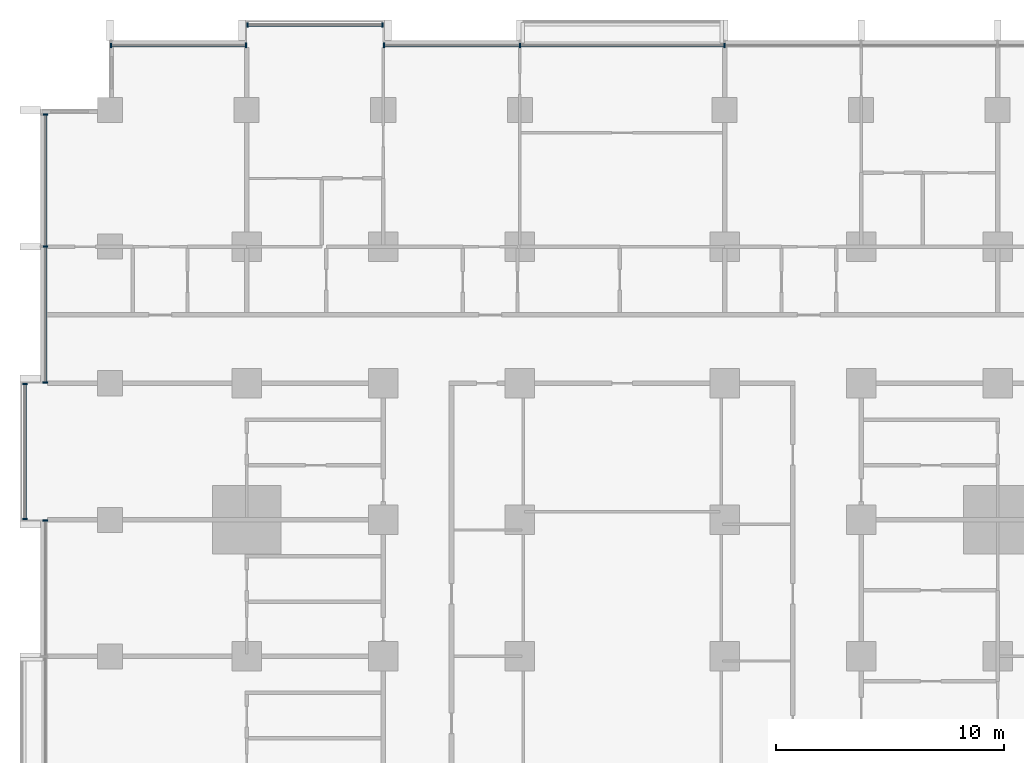
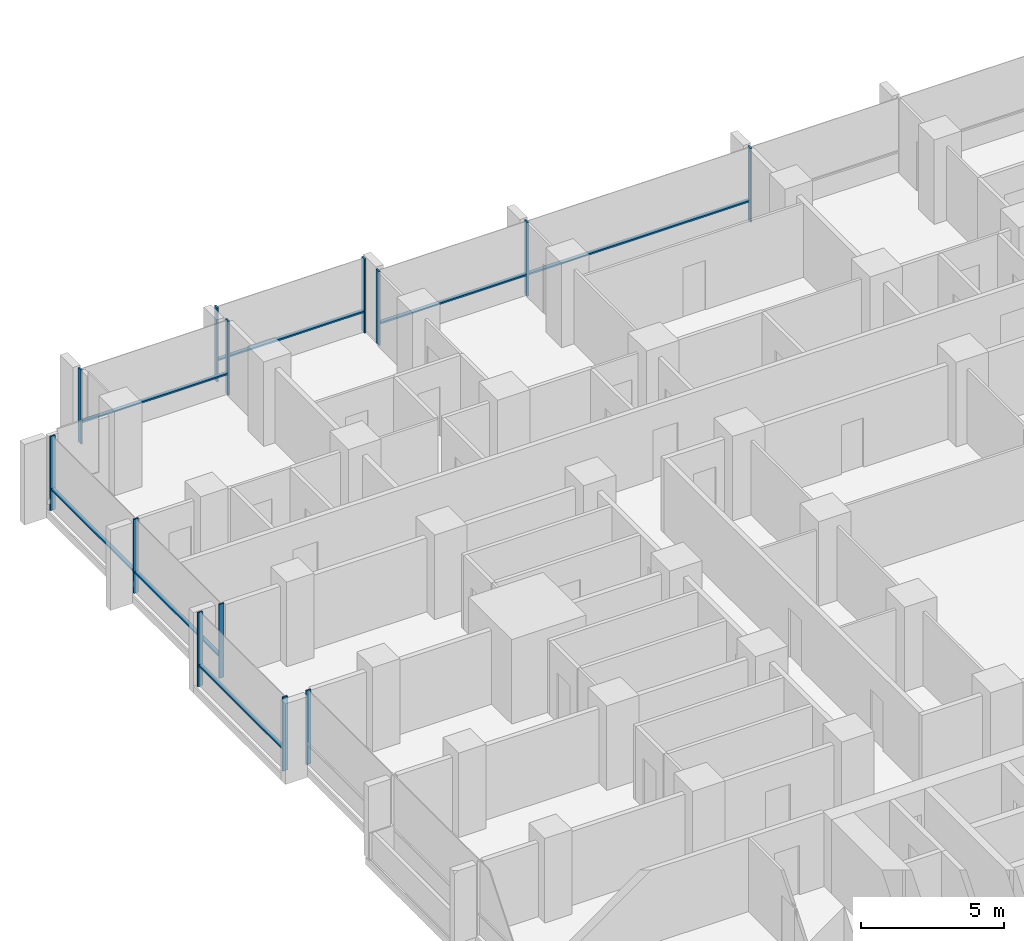
# One storey, part 4 of 18: 20 members, 6 elements without a shape of their own.
"""IFC4 building model written with IfcOpenShell, lengths in metres."""

from ifc_helpers import new_model, si_unit, direction, frame, origin, origin_2d, place, context, subcontext, project, spatial, rectangle, extrude, material, material_profile, profile_set, type_object, element, aggregate, save


model = new_model("IFC4")

# Units and contexts
model_context = context("Model", 3, precision=1e-05, world=origin(), true_north=direction((0.0, 1.0)))
body_context = subcontext(model_context, "Body", "Model", "MODEL_VIEW")
ifc_project = project(units=[si_unit("LENGTHUNIT", "METRE"), si_unit("AREAUNIT", "SQUARE_METRE"), si_unit("VOLUMEUNIT", "CUBIC_METRE"), si_unit("PLANEANGLEUNIT", "RADIAN"), si_unit("MASSUNIT", "GRAM", prefix="KILO")], contexts=[model_context])

# Site, building, storey
site_placement = place(None, origin())
site = spatial("IfcSite", under=ifc_project, at=site_placement, CompositionType="ELEMENT")
building_placement = place(site_placement, origin())
building = spatial("IfcBuilding", under=site, at=building_placement, Name="Finial Court Residences", CompositionType="ELEMENT")
storey_placement = place(building_placement, frame((0.0, 0.0, 72.10009765625)))
storey = spatial("IfcBuildingStorey", under=building, at=storey_placement, Name="L17", CompositionType="ELEMENT", Elevation=72.10009765625)

# Curtain wall, members
ifc_material = material(Name="Bronze anodised aluminium", Category="aluminium")
curtain_wall_type = type_object("IfcCurtainWallType", Name="Unitised curtain wall, lower and middle zones", PredefinedType="NOTDEFINED", material=ifc_material)
curtain_wall_1_placement = place(storey_placement, origin())
curtain_wall_1 = element("IfcCurtainWall", 1, at=curtain_wall_1_placement, inside=storey, type_object=curtain_wall_type, Name="E-L17-CW-N1", PredefinedType="NOTDEFINED")
ifc_material_profile_1 = material_profile(ifc_material, rectangle(XDim=0.199951171875, YDim=0.06494140625, at=origin_2d()), Name="CW1 mullion 65 x 200")
ifc_profile_set_1 = profile_set([ifc_material_profile_1], Name="Bronze anodised aluminium")
member_type_1 = type_object("IfcMemberType", Name="CW1 mullion 65 x 200", PredefinedType="MULLION", material=ifc_profile_set_1)
member_1_placement = place(storey_placement, frame((-22.467529296875, 28.35009765625, 0.0), z_axis=(0.0, 0.0, 1.0), x_axis=(0.0, 1.0, 0.0)))
member_1 = element("IfcMember", 2, at=member_1_placement, type_object=member_type_1, Name="CW1 mullion 1", PredefinedType="MULLION", context=body_context, shape_type="SweptSolid", body=[
    extrude(rectangle(XDim=0.199951171875, YDim=0.06494140625, at=origin_2d()), origin(), (0.0, 0.0, 1.0), 3.14990234375),
])
member_2_placement = place(storey_placement, frame((-16.532470703125, 28.35009765625, 0.0), z_axis=(0.0, 0.0, 1.0), x_axis=(0.0, 1.0, 0.0)))
member_2 = element("IfcMember", 3, at=member_2_placement, type_object=member_type_1, Name="CW1 mullion 2", PredefinedType="MULLION", context=body_context, shape_type="SweptSolid", body=[
    extrude(rectangle(XDim=0.199951171875, YDim=0.06494140625, at=origin_2d()), origin(), (0.0, 0.0, 1.0), 3.14990234375),
])

curtain_wall_2_placement = place(storey_placement, origin())
curtain_wall_2 = element("IfcCurtainWall", 4, at=curtain_wall_2_placement, inside=storey, type_object=curtain_wall_type, Name="E-L17-CW-N2", PredefinedType="NOTDEFINED")
member_3_placement = place(storey_placement, frame((-16.467529296875, 29.25, 0.0), z_axis=(0.0, 0.0, 1.0), x_axis=(0.0, 1.0, 0.0)))
member_3 = element("IfcMember", 5, at=member_3_placement, type_object=member_type_1, Name="CW1 mullion 1", PredefinedType="MULLION", context=body_context, shape_type="SweptSolid", body=[
    extrude(rectangle(XDim=0.199951171875, YDim=0.06494140625, at=origin_2d()), origin(), (0.0, 0.0, 1.0), 3.14990234375),
])
member_4_placement = place(storey_placement, frame((-10.532470703125, 29.25, 0.0), z_axis=(0.0, 0.0, 1.0), x_axis=(0.0, 1.0, 0.0)))
member_4 = element("IfcMember", 6, at=member_4_placement, type_object=member_type_1, Name="CW1 mullion 2", PredefinedType="MULLION", context=body_context, shape_type="SweptSolid", body=[
    extrude(rectangle(XDim=0.199951171875, YDim=0.06494140625, at=origin_2d()), origin(), (0.0, 0.0, 1.0), 3.14990234375),
])

curtain_wall_3_placement = place(storey_placement, origin())
curtain_wall_3 = element("IfcCurtainWall", 7, at=curtain_wall_3_placement, inside=storey, type_object=curtain_wall_type, Name="E-L17-CW-N3", PredefinedType="NOTDEFINED")
member_5_placement = place(storey_placement, frame((-10.467529296875, 28.35009765625, 0.0), z_axis=(0.0, 0.0, 1.0), x_axis=(0.0, 1.0, 0.0)))
member_5 = element("IfcMember", 8, at=member_5_placement, type_object=member_type_1, Name="CW1 mullion 1", PredefinedType="MULLION", context=body_context, shape_type="SweptSolid", body=[
    extrude(rectangle(XDim=0.199951171875, YDim=0.06494140625, at=origin_2d()), origin(), (0.0, 0.0, 1.0), 3.14990234375),
])
member_6_placement = place(storey_placement, frame((-4.5, 28.35009765625, 0.0), z_axis=(0.0, 0.0, 1.0), x_axis=(0.0, 1.0, 0.0)))
member_6 = element("IfcMember", 9, at=member_6_placement, type_object=member_type_1, Name="CW1 mullion 2", PredefinedType="MULLION", context=body_context, shape_type="SweptSolid", body=[
    extrude(rectangle(XDim=0.199951171875, YDim=0.06494140625, at=origin_2d()), origin(), (0.0, 0.0, 1.0), 3.14990234375),
])
member_7_placement = place(storey_placement, frame((4.5, 28.35009765625, 0.0), z_axis=(0.0, 0.0, 1.0), x_axis=(0.0, 1.0, 0.0)))
member_7 = element("IfcMember", 10, at=member_7_placement, type_object=member_type_1, Name="CW1 mullion 3", PredefinedType="MULLION", context=body_context, shape_type="SweptSolid", body=[
    extrude(rectangle(XDim=0.199951171875, YDim=0.06494140625, at=origin_2d()), origin(), (0.0, 0.0, 1.0), 3.14990234375),
])

# Curtain wall, member
curtain_wall_4_placement = place(storey_placement, origin())
curtain_wall_4 = element("IfcCurtainWall", 11, at=curtain_wall_4_placement, inside=storey, type_object=curtain_wall_type, Name="E-L17-CW-W9", PredefinedType="NOTDEFINED")
member_8_placement = place(storey_placement, frame((-25.35009765625, 7.467529296875, 0.0), z_axis=(0.0, 0.0, 1.0), x_axis=(-1.0, 0.0, 0.0)))
member_8 = element("IfcMember", 12, at=member_8_placement, type_object=member_type_1, Name="CW1 mullion 5", PredefinedType="MULLION", context=body_context, shape_type="SweptSolid", body=[
    extrude(rectangle(XDim=0.199951171875, YDim=0.06494140625, at=origin_2d()), origin(), (0.0, 0.0, 1.0), 3.14990234375),
])
aggregate(curtain_wall_4, [member_8])

# Curtain wall, members
curtain_wall_5_placement = place(storey_placement, origin())
curtain_wall_5 = element("IfcCurtainWall", 13, at=curtain_wall_5_placement, inside=storey, type_object=curtain_wall_type, Name="E-L17-CW-W10", PredefinedType="NOTDEFINED")
member_9_placement = place(storey_placement, frame((-26.25, 7.532470703125, 0.0), z_axis=(0.0, 0.0, 1.0), x_axis=(-1.0, 0.0, 0.0)))
member_9 = element("IfcMember", 14, at=member_9_placement, type_object=member_type_1, Name="CW1 mullion 1", PredefinedType="MULLION", context=body_context, shape_type="SweptSolid", body=[
    extrude(rectangle(XDim=0.199951171875, YDim=0.06494140625, at=origin_2d()), origin(), (0.0, 0.0, 1.0), 3.14990234375),
])
member_10_placement = place(storey_placement, frame((-26.25, 13.467529296875, 0.0), z_axis=(0.0, 0.0, 1.0), x_axis=(-1.0, 0.0, 0.0)))
member_10 = element("IfcMember", 15, at=member_10_placement, type_object=member_type_1, Name="CW1 mullion 2", PredefinedType="MULLION", context=body_context, shape_type="SweptSolid", body=[
    extrude(rectangle(XDim=0.199951171875, YDim=0.06494140625, at=origin_2d()), origin(), (0.0, 0.0, 1.0), 3.14990234375),
])

curtain_wall_6_placement = place(storey_placement, origin())
curtain_wall_6 = element("IfcCurtainWall", 16, at=curtain_wall_6_placement, inside=storey, type_object=curtain_wall_type, Name="E-L17-CW-W11", PredefinedType="NOTDEFINED")
member_11_placement = place(storey_placement, frame((-25.35009765625, 13.532470703125, 0.0), z_axis=(0.0, 0.0, 1.0), x_axis=(-1.0, 0.0, 0.0)))
member_11 = element("IfcMember", 17, at=member_11_placement, type_object=member_type_1, Name="CW1 mullion 1", PredefinedType="MULLION", context=body_context, shape_type="SweptSolid", body=[
    extrude(rectangle(XDim=0.199951171875, YDim=0.06494140625, at=origin_2d()), origin(), (0.0, 0.0, 1.0), 3.14990234375),
])
member_12_placement = place(storey_placement, frame((-25.35009765625, 19.5, 0.0), z_axis=(0.0, 0.0, 1.0), x_axis=(-1.0, 0.0, 0.0)))
member_12 = element("IfcMember", 18, at=member_12_placement, type_object=member_type_1, Name="CW1 mullion 2", PredefinedType="MULLION", context=body_context, shape_type="SweptSolid", body=[
    extrude(rectangle(XDim=0.199951171875, YDim=0.06494140625, at=origin_2d()), origin(), (0.0, 0.0, 1.0), 3.14990234375),
])
member_13_placement = place(storey_placement, frame((-25.35009765625, 25.3173828125, 0.0), z_axis=(0.0, 0.0, 1.0), x_axis=(-1.0, 0.0, 0.0)))
member_13 = element("IfcMember", 19, at=member_13_placement, type_object=member_type_1, Name="CW1 mullion 3", PredefinedType="MULLION", context=body_context, shape_type="SweptSolid", body=[
    extrude(rectangle(XDim=0.199951171875, YDim=0.06494140625, at=origin_2d()), origin(), (0.0, 0.0, 1.0), 3.14990234375),
])

# Member
ifc_material_profile_2 = material_profile(ifc_material, rectangle(XDim=0.14990234375, YDim=0.06494140625, at=origin_2d()), Name="CW1 transom 65 x 150")
ifc_profile_set_2 = profile_set([ifc_material_profile_2], Name="Bronze anodised aluminium")
member_type_2 = type_object("IfcMemberType", Name="CW1 transom 65 x 150", PredefinedType="USERDEFINED", material=ifc_profile_set_2)
member_14_placement = place(storey_placement, frame((-22.43505859375, 28.35009765625, 0.89990234375), z_axis=(1.0, 0.0, 0.0), x_axis=(0.0, 1.0, 0.0)))
member_14 = element("IfcMember", 20, at=member_14_placement, type_object=member_type_2, Name="CW1 transom 1.1", ObjectType="TRANSOM", PredefinedType="USERDEFINED", context=body_context, shape_type="SweptSolid", body=[
    extrude(rectangle(XDim=0.14990234375, YDim=0.06494140625, at=origin_2d()), origin(), (0.0, 0.0, 1.0), 5.8701171875),
])

aggregate(curtain_wall_1, [member_1, member_2, member_14])

member_15_placement = place(storey_placement, frame((-16.43505859375, 29.25, 0.89990234375), z_axis=(1.0, 0.0, 0.0), x_axis=(0.0, 1.0, 0.0)))
member_15 = element("IfcMember", 21, at=member_15_placement, type_object=member_type_2, Name="CW1 transom 1.1", ObjectType="TRANSOM", PredefinedType="USERDEFINED", context=body_context, shape_type="SweptSolid", body=[
    extrude(rectangle(XDim=0.14990234375, YDim=0.06494140625, at=origin_2d()), origin(), (0.0, 0.0, 1.0), 5.8701171875),
])

aggregate(curtain_wall_2, [member_3, member_4, member_15])

member_16_placement = place(storey_placement, frame((-10.43505859375, 28.35009765625, 0.89990234375), z_axis=(1.0, 0.0, 0.0), x_axis=(0.0, 1.0, 0.0)))
member_16 = element("IfcMember", 22, at=member_16_placement, type_object=member_type_2, Name="CW1 transom 1.1", ObjectType="TRANSOM", PredefinedType="USERDEFINED", context=body_context, shape_type="SweptSolid", body=[
    extrude(rectangle(XDim=0.14990234375, YDim=0.06494140625, at=origin_2d()), origin(), (0.0, 0.0, 1.0), 5.902587890625),
])

member_17_placement = place(storey_placement, frame((-4.467529296875, 28.35009765625, 0.89990234375), z_axis=(1.0, 0.0, 0.0), x_axis=(0.0, 1.0, 0.0)))
member_17 = element("IfcMember", 23, at=member_17_placement, type_object=member_type_2, Name="CW1 transom 2.1", ObjectType="TRANSOM", PredefinedType="USERDEFINED", context=body_context, shape_type="SweptSolid", body=[
    extrude(rectangle(XDim=0.14990234375, YDim=0.06494140625, at=origin_2d()), origin(), (0.0, 0.0, 1.0), 8.93505859375),
])

aggregate(curtain_wall_3, [member_5, member_6, member_7, member_16, member_17])

member_18_placement = place(storey_placement, frame((-26.25, 7.56494140625, 0.89990234375), z_axis=(0.0, 1.0, 0.0), x_axis=(-1.0, 0.0, 0.0)))
member_18 = element("IfcMember", 24, at=member_18_placement, type_object=member_type_2, Name="CW1 transom 1.1", ObjectType="TRANSOM", PredefinedType="USERDEFINED", context=body_context, shape_type="SweptSolid", body=[
    extrude(rectangle(XDim=0.14990234375, YDim=0.06494140625, at=origin_2d()), origin(), (0.0, 0.0, 1.0), 5.8701171875),
])

aggregate(curtain_wall_5, [member_9, member_10, member_18])

member_19_placement = place(storey_placement, frame((-25.35009765625, 13.56494140625, 0.89990234375), z_axis=(0.0, 1.0, 0.0), x_axis=(-1.0, 0.0, 0.0)))
member_19 = element("IfcMember", 25, at=member_19_placement, type_object=member_type_2, Name="CW1 transom 1.1", ObjectType="TRANSOM", PredefinedType="USERDEFINED", context=body_context, shape_type="SweptSolid", body=[
    extrude(rectangle(XDim=0.14990234375, YDim=0.06494140625, at=origin_2d()), origin(), (0.0, 0.0, 1.0), 5.902587890625),
])

member_20_placement = place(storey_placement, frame((-25.35009765625, 19.532470703125, 0.89990234375), z_axis=(0.0, 1.0, 0.0), x_axis=(-1.0, 0.0, 0.0)))
member_20 = element("IfcMember", 26, at=member_20_placement, type_object=member_type_2, Name="CW1 transom 2.1", ObjectType="TRANSOM", PredefinedType="USERDEFINED", context=body_context, shape_type="SweptSolid", body=[
    extrude(rectangle(XDim=0.14990234375, YDim=0.06494140625, at=origin_2d()), origin(), (0.0, 0.0, 1.0), 5.75244140625),
])

aggregate(curtain_wall_6, [member_11, member_12, member_13, member_19, member_20])

save(model, "model.ifc")
